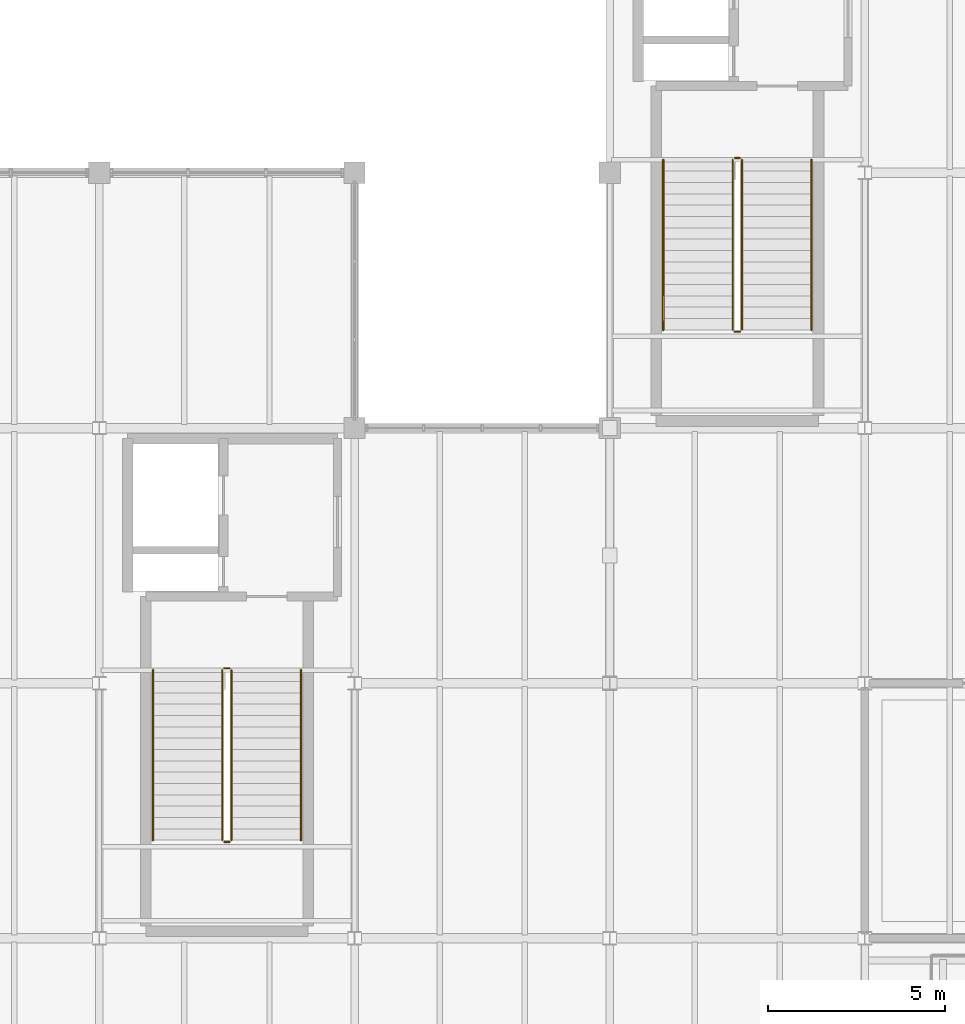
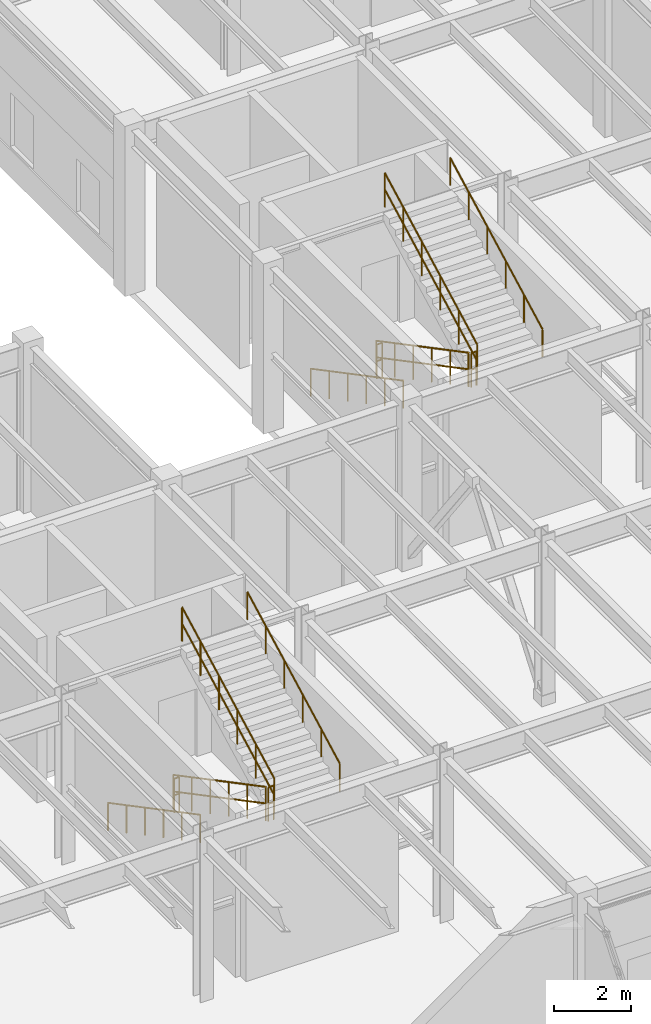
# One storey, part 91 of 97: 12 railings.
"""IFC4 building model written with IfcOpenShell, lengths in metres."""

from ifc_helpers import new_model, si_unit, direction, frame, origin, origin_2d, place, context, subcontext, project, spatial, circle, extrude, material, layer, layer_set, type_object, element, save


model = new_model("IFC4")

# Units and contexts
model_context = context("Model", 3, precision=1e-05, world=origin(), true_north=direction((0.0, 1.0)))
body_context = subcontext(model_context, "Body", "Model", "MODEL_VIEW")
ifc_project = project(units=[si_unit("LENGTHUNIT", "METRE"), si_unit("AREAUNIT", "SQUARE_METRE"), si_unit("VOLUMEUNIT", "CUBIC_METRE"), si_unit("PLANEANGLEUNIT", "RADIAN"), si_unit("MASSUNIT", "GRAM", prefix="KILO")], contexts=[model_context])

# Site, building, storey
site_placement = place(None, origin())
site = spatial("IfcSite", under=ifc_project, at=site_placement, CompositionType="ELEMENT")
building_placement = place(site_placement, origin())
building = spatial("IfcBuilding", under=site, at=building_placement, Name="Sillqori Civic Hall", CompositionType="ELEMENT")
storey_placement = place(building_placement, origin())
storey = spatial("IfcBuildingStorey", under=building, at=storey_placement, Name="L01", CompositionType="ELEMENT", Elevation=0.0)

# Railings
ifc_material_1 = material(Name="Brushed Stainless Steel 316 Handrail", Category="steel")
ifc_layer_1 = layer(ifc_material_1, 0.044921875)
ifc_layer_set_1 = layer_set([ifc_layer_1], Name="Brushed Stainless Steel 316 Handrail")
railing_type_1 = type_object("IfcRailingType", Name="RLG-CORE-092", PredefinedType="HANDRAIL", material=ifc_layer_set_1)
railing_1_placement = place(storey_placement, frame((123.909912109375, 57.969970703125, 0.168701171875)))
element("IfcRailing", 1, at=railing_1_placement, inside=storey, type_object=railing_type_1, Name="L01 ST-02 stair handrail 1", PredefinedType="HANDRAIL", context=body_context, shape_type="SweptSolid", body=[
    extrude(circle(Radius=0.02392578125, at=origin_2d()), frame((0.0, 0.0, 0.8759765625), z_axis=(0.0, -0.8845451381, 0.466454605148), x_axis=(1.0, 0.0, 0.0)), (0.0, 0.0, 1.0), 5.426513671875),
    extrude(circle(Radius=0.02099609375, at=origin_2d()), origin(), (0.0, 0.0, 1.0), 0.851806640625),
    extrude(circle(Radius=0.02099609375, at=origin_2d()), frame((0.0, -0.9599609375, 0.50634765625)), (0.0, 0.0, 1.0), 0.851806640625),
    extrude(circle(Radius=0.02099609375, at=origin_2d()), frame((0.0, -1.919921875, 1.012451171875)), (0.0, 0.0, 1.0), 0.851806640625),
    extrude(circle(Radius=0.02099609375, at=origin_2d()), frame((0.0, -2.880126953125, 1.518798828125)), (0.0, 0.0, 1.0), 0.851806640625),
    extrude(circle(Radius=0.02099609375, at=origin_2d()), frame((0.0, -3.840087890625, 2.02490234375)), (0.0, 0.0, 1.0), 0.851806640625),
    extrude(circle(Radius=0.02099609375, at=origin_2d()), frame((0.0, -4.800048828125, 2.53125)), (0.0, 0.0, 1.0), 0.851806640625),
])
railing_2_placement = place(storey_placement, frame((128.090087890625, 53.169921875, 2.86865234375)))
element("IfcRailing", 2, at=railing_2_placement, inside=storey, type_object=railing_type_1, Name="L01 ST-02 stair handrail 2", PredefinedType="HANDRAIL", context=body_context, shape_type="SweptSolid", body=[
    extrude(circle(Radius=0.02392578125, at=origin_2d()), frame((0.0, 0.0, 0.8759765625), z_axis=(0.0, 0.8845451381, 0.466454605148), x_axis=(-1.0, 0.0, 0.0)), (0.0, 0.0, 1.0), 5.426513671875),
    extrude(circle(Radius=0.02099609375, at=origin_2d()), origin(), (0.0, 0.0, 1.0), 0.851806640625),
    extrude(circle(Radius=0.02099609375, at=origin_2d()), frame((0.0, 0.9599609375, 0.50634765625)), (0.0, 0.0, 1.0), 0.851806640625),
    extrude(circle(Radius=0.02099609375, at=origin_2d()), frame((0.0, 1.919921875, 1.012451171875)), (0.0, 0.0, 1.0), 0.851806640625),
    extrude(circle(Radius=0.02099609375, at=origin_2d()), frame((0.0, 2.880126953125, 1.518798828125)), (0.0, 0.0, 1.0), 0.851806640625),
    extrude(circle(Radius=0.02099609375, at=origin_2d()), frame((0.0, 3.840087890625, 2.02490234375)), (0.0, 0.0, 1.0), 0.851806640625),
    extrude(circle(Radius=0.02099609375, at=origin_2d()), frame((0.0, 4.800048828125, 2.53125)), (0.0, 0.0, 1.0), 0.851806640625),
])
railing_3_placement = place(storey_placement, frame((109.510009765625, 43.570068359375, 0.168701171875)))
element("IfcRailing", 3, at=railing_3_placement, inside=storey, type_object=railing_type_1, Name="L01 ST-03 stair handrail 1", PredefinedType="HANDRAIL", context=body_context, shape_type="SweptSolid", body=[
    extrude(circle(Radius=0.02392578125, at=origin_2d()), frame((0.0, 0.0, 0.8759765625), z_axis=(0.0, -0.8845451381, 0.466454605148), x_axis=(1.0, 0.0, 0.0)), (0.0, 0.0, 1.0), 5.426513671875),
    extrude(circle(Radius=0.02099609375, at=origin_2d()), origin(), (0.0, 0.0, 1.0), 0.851806640625),
    extrude(circle(Radius=0.02099609375, at=origin_2d()), frame((0.0, -0.9599609375, 0.50634765625)), (0.0, 0.0, 1.0), 0.851806640625),
    extrude(circle(Radius=0.02099609375, at=origin_2d()), frame((0.0, -1.919921875, 1.012451171875)), (0.0, 0.0, 1.0), 0.851806640625),
    extrude(circle(Radius=0.02099609375, at=origin_2d()), frame((0.0, -2.880126953125, 1.518798828125)), (0.0, 0.0, 1.0), 0.851806640625),
    extrude(circle(Radius=0.02099609375, at=origin_2d()), frame((0.0, -3.840087890625, 2.02490234375)), (0.0, 0.0, 1.0), 0.851806640625),
    extrude(circle(Radius=0.02099609375, at=origin_2d()), frame((0.0, -4.800048828125, 2.53125)), (0.0, 0.0, 1.0), 0.851806640625),
])
railing_4_placement = place(storey_placement, frame((113.68994140625, 38.77001953125, 2.86865234375)))
element("IfcRailing", 4, at=railing_4_placement, inside=storey, type_object=railing_type_1, Name="L01 ST-03 stair handrail 2", PredefinedType="HANDRAIL", context=body_context, shape_type="SweptSolid", body=[
    extrude(circle(Radius=0.02392578125, at=origin_2d()), frame((0.0, 0.0, 0.8759765625), z_axis=(0.0, 0.8845451381, 0.466454605148), x_axis=(-1.0, 0.0, 0.0)), (0.0, 0.0, 1.0), 5.426513671875),
    extrude(circle(Radius=0.02099609375, at=origin_2d()), origin(), (0.0, 0.0, 1.0), 0.851806640625),
    extrude(circle(Radius=0.02099609375, at=origin_2d()), frame((0.0, 0.9599609375, 0.50634765625)), (0.0, 0.0, 1.0), 0.851806640625),
    extrude(circle(Radius=0.02099609375, at=origin_2d()), frame((0.0, 1.919921875, 1.012451171875)), (0.0, 0.0, 1.0), 0.851806640625),
    extrude(circle(Radius=0.02099609375, at=origin_2d()), frame((0.0, 2.880126953125, 1.518798828125)), (0.0, 0.0, 1.0), 0.851806640625),
    extrude(circle(Radius=0.02099609375, at=origin_2d()), frame((0.0, 3.840087890625, 2.02490234375)), (0.0, 0.0, 1.0), 0.851806640625),
    extrude(circle(Radius=0.02099609375, at=origin_2d()), frame((0.0, 4.800048828125, 2.53125)), (0.0, 0.0, 1.0), 0.851806640625),
])
ifc_material_2 = material(Name="Galvanized Painted Steel Guardrail", Category="steel")
ifc_layer_2 = layer(ifc_material_2, 0.050048828125)
ifc_layer_set_2 = layer_set([ifc_layer_2], Name="Galvanized Painted Steel Guardrail")
railing_type_2 = type_object("IfcRailingType", Name="RLG-CORE-110", PredefinedType="GUARDRAIL", material=ifc_layer_set_2)
railing_5_placement = place(storey_placement, frame((125.8701171875, 57.969970703125, 0.168701171875)))
element("IfcRailing", 5, at=railing_5_placement, inside=storey, type_object=railing_type_2, Name="L01 ST-02 stair guard 1", PredefinedType="GUARDRAIL", context=body_context, shape_type="SweptSolid", body=[
    extrude(circle(Radius=0.02392578125, at=origin_2d()), frame((0.0, 0.0, 1.076171875), z_axis=(0.0, -0.8845451381, 0.466454605148), x_axis=(1.0, 0.0, 0.0)), (0.0, 0.0, 1.0), 5.426513671875),
    extrude(circle(Radius=0.02392578125, at=origin_2d()), frame((0.0, 0.0, 0.550048828125), z_axis=(0.0, -0.8845451381, 0.466454605148), x_axis=(1.0, 0.0, 0.0)), (0.0, 0.0, 1.0), 5.426513671875),
    extrude(circle(Radius=0.02099609375, at=origin_2d()), origin(), (0.0, 0.0, 1.0), 1.052001953125),
    extrude(circle(Radius=0.02099609375, at=origin_2d()), frame((0.0, -0.9599609375, 0.50634765625)), (0.0, 0.0, 1.0), 1.052001953125),
    extrude(circle(Radius=0.02099609375, at=origin_2d()), frame((0.0, -1.919921875, 1.012451171875)), (0.0, 0.0, 1.0), 1.052001953125),
    extrude(circle(Radius=0.02099609375, at=origin_2d()), frame((0.0, -2.880126953125, 1.518798828125)), (0.0, 0.0, 1.0), 1.052001953125),
    extrude(circle(Radius=0.02099609375, at=origin_2d()), frame((0.0, -3.840087890625, 2.02490234375)), (0.0, 0.0, 1.0), 1.052001953125),
    extrude(circle(Radius=0.02099609375, at=origin_2d()), frame((0.0, -4.800048828125, 2.53125)), (0.0, 0.0, 1.0), 1.052001953125),
])
railing_6_placement = place(storey_placement, frame((125.919921875, 53.1201171875, 2.699951171875)))
element("IfcRailing", 6, at=railing_6_placement, inside=storey, type_object=railing_type_2, Name="L01 ST-02 stair guard 2", PredefinedType="GUARDRAIL", context=body_context, shape_type="SweptSolid", body=[
    extrude(circle(Radius=0.02392578125, at=origin_2d()), frame((0.0, 0.0, 1.076171875), z_axis=(1.0, 0.0, 0.0), x_axis=(0.0, 1.0, 0.0)), (0.0, 0.0, 1.0), 0.16015625),
    extrude(circle(Radius=0.02392578125, at=origin_2d()), frame((0.0, 0.0, 0.550048828125), z_axis=(1.0, 0.0, 0.0), x_axis=(0.0, 1.0, 0.0)), (0.0, 0.0, 1.0), 0.16015625),
    extrude(circle(Radius=0.02099609375, at=origin_2d()), origin(), (0.0, 0.0, 1.0), 1.052001953125),
    extrude(circle(Radius=0.02099609375, at=origin_2d()), frame((0.16015625, 0.0, 0.0)), (0.0, 0.0, 1.0), 1.052001953125),
])
railing_7_placement = place(storey_placement, frame((126.1298828125, 53.169921875, 2.86865234375)))
element("IfcRailing", 7, at=railing_7_placement, inside=storey, type_object=railing_type_2, Name="L01 ST-02 stair guard 3", PredefinedType="GUARDRAIL", context=body_context, shape_type="SweptSolid", body=[
    extrude(circle(Radius=0.02392578125, at=origin_2d()), frame((0.0, 0.0, 1.076171875), z_axis=(0.0, 0.8845451381, 0.466454605148), x_axis=(-1.0, 0.0, 0.0)), (0.0, 0.0, 1.0), 5.426513671875),
    extrude(circle(Radius=0.02392578125, at=origin_2d()), frame((0.0, 0.0, 0.550048828125), z_axis=(0.0, 0.8845451381, 0.466454605148), x_axis=(-1.0, 0.0, 0.0)), (0.0, 0.0, 1.0), 5.426513671875),
    extrude(circle(Radius=0.02099609375, at=origin_2d()), origin(), (0.0, 0.0, 1.0), 1.052001953125),
    extrude(circle(Radius=0.02099609375, at=origin_2d()), frame((0.0, 0.9599609375, 0.50634765625)), (0.0, 0.0, 1.0), 1.052001953125),
    extrude(circle(Radius=0.02099609375, at=origin_2d()), frame((0.0, 1.919921875, 1.012451171875)), (0.0, 0.0, 1.0), 1.052001953125),
    extrude(circle(Radius=0.02099609375, at=origin_2d()), frame((0.0, 2.880126953125, 1.518798828125)), (0.0, 0.0, 1.0), 1.052001953125),
    extrude(circle(Radius=0.02099609375, at=origin_2d()), frame((0.0, 3.840087890625, 2.02490234375)), (0.0, 0.0, 1.0), 1.052001953125),
    extrude(circle(Radius=0.02099609375, at=origin_2d()), frame((0.0, 4.800048828125, 2.53125)), (0.0, 0.0, 1.0), 1.052001953125),
])
railing_8_placement = place(storey_placement, frame((125.919921875, 58.02001953125, 0.0)))
element("IfcRailing", 8, at=railing_8_placement, inside=storey, type_object=railing_type_2, Name="L01 ST-02 stair guard 4", PredefinedType="GUARDRAIL", context=body_context, shape_type="SweptSolid", body=[
    extrude(circle(Radius=0.02392578125, at=origin_2d()), frame((0.0, 0.0, 1.076171875), z_axis=(1.0, 0.0, 0.0), x_axis=(0.0, 1.0, 0.0)), (0.0, 0.0, 1.0), 0.16015625),
    extrude(circle(Radius=0.02392578125, at=origin_2d()), frame((0.0, 0.0, 0.550048828125), z_axis=(1.0, 0.0, 0.0), x_axis=(0.0, 1.0, 0.0)), (0.0, 0.0, 1.0), 0.16015625),
    extrude(circle(Radius=0.02099609375, at=origin_2d()), origin(), (0.0, 0.0, 1.0), 1.052001953125),
    extrude(circle(Radius=0.02099609375, at=origin_2d()), frame((0.16015625, 0.0, 0.0)), (0.0, 0.0, 1.0), 1.052001953125),
])
railing_9_placement = place(storey_placement, frame((111.469970703125, 43.570068359375, 0.168701171875)))
element("IfcRailing", 9, at=railing_9_placement, inside=storey, type_object=railing_type_2, Name="L01 ST-03 stair guard 1", PredefinedType="GUARDRAIL", context=body_context, shape_type="SweptSolid", body=[
    extrude(circle(Radius=0.02392578125, at=origin_2d()), frame((0.0, 0.0, 1.076171875), z_axis=(0.0, -0.8845451381, 0.466454605148), x_axis=(1.0, 0.0, 0.0)), (0.0, 0.0, 1.0), 5.426513671875),
    extrude(circle(Radius=0.02392578125, at=origin_2d()), frame((0.0, 0.0, 0.550048828125), z_axis=(0.0, -0.8845451381, 0.466454605148), x_axis=(1.0, 0.0, 0.0)), (0.0, 0.0, 1.0), 5.426513671875),
    extrude(circle(Radius=0.02099609375, at=origin_2d()), origin(), (0.0, 0.0, 1.0), 1.052001953125),
    extrude(circle(Radius=0.02099609375, at=origin_2d()), frame((0.0, -0.9599609375, 0.50634765625)), (0.0, 0.0, 1.0), 1.052001953125),
    extrude(circle(Radius=0.02099609375, at=origin_2d()), frame((0.0, -1.919921875, 1.012451171875)), (0.0, 0.0, 1.0), 1.052001953125),
    extrude(circle(Radius=0.02099609375, at=origin_2d()), frame((0.0, -2.880126953125, 1.518798828125)), (0.0, 0.0, 1.0), 1.052001953125),
    extrude(circle(Radius=0.02099609375, at=origin_2d()), frame((0.0, -3.840087890625, 2.02490234375)), (0.0, 0.0, 1.0), 1.052001953125),
    extrude(circle(Radius=0.02099609375, at=origin_2d()), frame((0.0, -4.800048828125, 2.53125)), (0.0, 0.0, 1.0), 1.052001953125),
])
railing_10_placement = place(storey_placement, frame((111.52001953125, 38.719970703125, 2.699951171875)))
element("IfcRailing", 10, at=railing_10_placement, inside=storey, type_object=railing_type_2, Name="L01 ST-03 stair guard 2", PredefinedType="GUARDRAIL", context=body_context, shape_type="SweptSolid", body=[
    extrude(circle(Radius=0.02392578125, at=origin_2d()), frame((0.0, 0.0, 1.076171875), z_axis=(1.0, 0.0, 0.0), x_axis=(0.0, 1.0, 0.0)), (0.0, 0.0, 1.0), 0.159912109375),
    extrude(circle(Radius=0.02392578125, at=origin_2d()), frame((0.0, 0.0, 0.550048828125), z_axis=(1.0, 0.0, 0.0), x_axis=(0.0, 1.0, 0.0)), (0.0, 0.0, 1.0), 0.159912109375),
    extrude(circle(Radius=0.02099609375, at=origin_2d()), origin(), (0.0, 0.0, 1.0), 1.052001953125),
    extrude(circle(Radius=0.02099609375, at=origin_2d()), frame((0.159912109375, 0.0, 0.0)), (0.0, 0.0, 1.0), 1.052001953125),
])
railing_11_placement = place(storey_placement, frame((111.72998046875, 38.77001953125, 2.86865234375)))
element("IfcRailing", 11, at=railing_11_placement, inside=storey, type_object=railing_type_2, Name="L01 ST-03 stair guard 3", PredefinedType="GUARDRAIL", context=body_context, shape_type="SweptSolid", body=[
    extrude(circle(Radius=0.02392578125, at=origin_2d()), frame((0.0, 0.0, 1.076171875), z_axis=(0.0, 0.8845451381, 0.466454605148), x_axis=(-1.0, 0.0, 0.0)), (0.0, 0.0, 1.0), 5.426513671875),
    extrude(circle(Radius=0.02392578125, at=origin_2d()), frame((0.0, 0.0, 0.550048828125), z_axis=(0.0, 0.8845451381, 0.466454605148), x_axis=(-1.0, 0.0, 0.0)), (0.0, 0.0, 1.0), 5.426513671875),
    extrude(circle(Radius=0.02099609375, at=origin_2d()), origin(), (0.0, 0.0, 1.0), 1.052001953125),
    extrude(circle(Radius=0.02099609375, at=origin_2d()), frame((0.0, 0.9599609375, 0.50634765625)), (0.0, 0.0, 1.0), 1.052001953125),
    extrude(circle(Radius=0.02099609375, at=origin_2d()), frame((0.0, 1.919921875, 1.012451171875)), (0.0, 0.0, 1.0), 1.052001953125),
    extrude(circle(Radius=0.02099609375, at=origin_2d()), frame((0.0, 2.880126953125, 1.518798828125)), (0.0, 0.0, 1.0), 1.052001953125),
    extrude(circle(Radius=0.02099609375, at=origin_2d()), frame((0.0, 3.840087890625, 2.02490234375)), (0.0, 0.0, 1.0), 1.052001953125),
    extrude(circle(Radius=0.02099609375, at=origin_2d()), frame((0.0, 4.800048828125, 2.53125)), (0.0, 0.0, 1.0), 1.052001953125),
])
railing_12_placement = place(storey_placement, frame((111.52001953125, 43.6201171875, 0.0)))
element("IfcRailing", 12, at=railing_12_placement, inside=storey, type_object=railing_type_2, Name="L01 ST-03 stair guard 4", PredefinedType="GUARDRAIL", context=body_context, shape_type="SweptSolid", body=[
    extrude(circle(Radius=0.02392578125, at=origin_2d()), frame((0.0, 0.0, 1.076171875), z_axis=(1.0, 0.0, 0.0), x_axis=(0.0, 1.0, 0.0)), (0.0, 0.0, 1.0), 0.159912109375),
    extrude(circle(Radius=0.02392578125, at=origin_2d()), frame((0.0, 0.0, 0.550048828125), z_axis=(1.0, 0.0, 0.0), x_axis=(0.0, 1.0, 0.0)), (0.0, 0.0, 1.0), 0.159912109375),
    extrude(circle(Radius=0.02099609375, at=origin_2d()), origin(), (0.0, 0.0, 1.0), 1.052001953125),
    extrude(circle(Radius=0.02099609375, at=origin_2d()), frame((0.159912109375, 0.0, 0.0)), (0.0, 0.0, 1.0), 1.052001953125),
])

save(model, "model.ifc")
